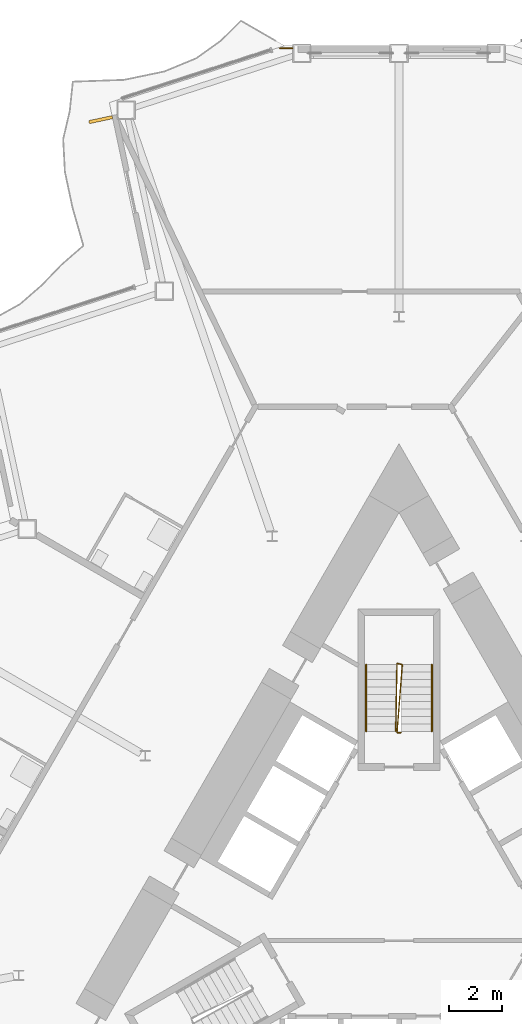
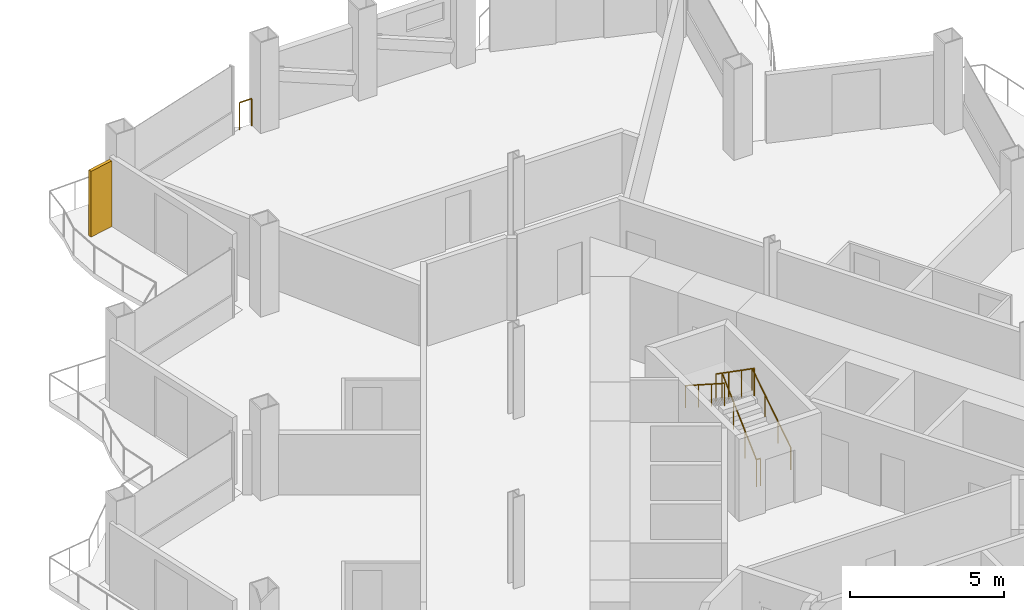
# One storey, part 21 of 24: 4 railings, 1 shading device.
"""IFC4 building model written with IfcOpenShell, lengths in metres."""

from ifc_helpers import new_model, si_unit, direction, frame, origin, origin_2d, place, context, subcontext, project, spatial, rectangle, circle, extrude, material, layer, layer_set, type_object, element, save


model = new_model("IFC4")

# Units and contexts
model_context = context("Model", 3, precision=1e-05, world=origin(), true_north=direction((0.0, 1.0)))
body_context = subcontext(model_context, "Body", "Model", "MODEL_VIEW")
ifc_project = project(units=[si_unit("LENGTHUNIT", "METRE"), si_unit("AREAUNIT", "SQUARE_METRE"), si_unit("VOLUMEUNIT", "CUBIC_METRE"), si_unit("PLANEANGLEUNIT", "RADIAN"), si_unit("MASSUNIT", "GRAM", prefix="KILO")], contexts=[model_context])

# Site, building, storey
site_placement = place(None, origin())
site = spatial("IfcSite", under=ifc_project, at=site_placement, CompositionType="ELEMENT")
building_placement = place(site_placement, origin())
building = spatial("IfcBuilding", under=site, at=building_placement, Name="Cormorant Prow Tower", CompositionType="ELEMENT")
storey_placement = place(building_placement, frame((0.0, 0.0, 234.60009765625)))
storey = spatial("IfcBuildingStorey", under=building, at=storey_placement, Name="L51", CompositionType="ELEMENT", Elevation=234.60009765625)

# Railings
ifc_material_1 = material(Name="Stainless steel", Category="steel")
railing_type_1 = type_object("IfcRailingType", Name="Facade corner guard 1100", PredefinedType="GUARDRAIL", material=ifc_material_1)
railing_1_placement = place(storey_placement, frame((-4.4951171875, 32.260009765625, 0.0)))
element("IfcRailing", 1, at=railing_1_placement, inside=storey, type_object=railing_type_1, Name="Facade corner guard L51 2", PredefinedType="GUARDRAIL", context=body_context, shape_type="SweptSolid", body=[
    extrude(circle(Radius=0.02392578125, at=origin_2d()), frame((0.0, 0.0, 1.076171875), z_axis=(1.0, 0.0, 0.0), x_axis=(0.0, 1.0, 0.0)), (0.0, 0.0, 1.0), 0.454833984375),
    extrude(circle(Radius=0.02099609375, at=origin_2d()), origin(), (0.0, 0.0, 1.0), 1.052001953125),
    extrude(circle(Radius=0.02099609375, at=origin_2d()), frame((0.454833984375, 0.0, 0.0)), (0.0, 0.0, 1.0), 1.052001953125),
])
ifc_material_2 = material(Name="Stainless steel", Category="steel")
railing_type_2 = type_object("IfcRailingType", Name="Stair guard 1100", PredefinedType="GUARDRAIL", material=ifc_material_2)
railing_2_placement = place(storey_placement, frame((0.074951171875, 6.40576171875, 0.0)))
element("IfcRailing", 2, at=railing_2_placement, inside=storey, type_object=railing_type_2, Name="L51 ST3 stair guard 1", PredefinedType="GUARDRAIL", context=body_context, shape_type="SweptSolid", body=[
    extrude(circle(Radius=0.02392578125, at=origin_2d()), frame((0.0, 0.0, 1.076171875), z_axis=(-1.0, 0.0, 0.0), x_axis=(0.0, -1.0, 0.0)), (0.0, 0.0, 1.0), 0.14990234375),
    extrude(circle(Radius=0.02392578125, at=origin_2d()), frame((-0.14990234375, 0.0, 1.076171875), z_axis=(0.063598367685, 0.817460337751, 0.572462962848), x_axis=(-0.996987254287, 0.077565551559, 0.0)), (0.0, 0.0, 1.0), 3.14404296875),
    extrude(circle(Radius=0.02392578125, at=origin_2d()), frame((0.050048828125, 2.570068359375, 2.8759765625), z_axis=(-0.970072785993, 0.242814311512, 0.0), x_axis=(-0.242814311512, -0.970072785993, 0.0)), (0.0, 0.0, 1.0), 0.2060546875),
    extrude(circle(Radius=0.02392578125, at=origin_2d()), frame((-0.14990234375, 2.6201171875, 2.8759765625), z_axis=(-0.01594855688, -0.818977845239, 0.573603462805), x_axis=(0.999810440751, -0.019470042781, 0.0)), (0.0, 0.0, 1.0), 3.13818359375),
    extrude(circle(Radius=0.02099609375, at=origin_2d()), origin(), (0.0, 0.0, 1.0), 1.052001953125),
    extrude(circle(Radius=0.02099609375, at=origin_2d()), frame((-0.14990234375, 0.0, 0.0)), (0.0, 0.0, 1.0), 1.052001953125),
    extrude(circle(Radius=0.02099609375, at=origin_2d()), frame((-0.083251953125, 0.856689453125, 0.599853515625)), (0.0, 0.0, 1.0), 1.052001953125),
    extrude(circle(Radius=0.02099609375, at=origin_2d()), frame((-0.0166015625, 1.71337890625, 1.199951171875)), (0.0, 0.0, 1.0), 1.052001953125),
    extrude(circle(Radius=0.02099609375, at=origin_2d()), frame((0.050048828125, 2.570068359375, 1.7998046875)), (0.0, 0.0, 1.0), 1.052001953125),
    extrude(circle(Radius=0.02099609375, at=origin_2d()), frame((-0.14990234375, 2.6201171875, 1.7998046875)), (0.0, 0.0, 1.0), 1.052001953125),
    extrude(circle(Radius=0.02099609375, at=origin_2d()), frame((-0.16650390625, 1.763427734375, 2.39990234375)), (0.0, 0.0, 1.0), 1.052001953125),
    extrude(circle(Radius=0.02099609375, at=origin_2d()), frame((-0.183349609375, 0.90673828125, 2.999755859375)), (0.0, 0.0, 1.0), 1.052001953125),
    extrude(circle(Radius=0.02099609375, at=origin_2d()), frame((-0.199951171875, 0.050048828125, 3.599853515625)), (0.0, 0.0, 1.0), 1.052001953125),
])
ifc_material_3 = material(Name="Stainless steel", Category="steel")
railing_type_3 = type_object("IfcRailingType", Name="Stair handrail 900", PredefinedType="HANDRAIL", material=ifc_material_3)
railing_3_placement = place(storey_placement, frame((1.243896484375, 6.455810546875, 0.179931640625)))
element("IfcRailing", 3, at=railing_3_placement, inside=storey, type_object=railing_type_3, Name="L51 ST3 stair handrail 1", PredefinedType="HANDRAIL", context=body_context, shape_type="SweptSolid", body=[
    extrude(circle(Radius=0.02392578125, at=origin_2d()), frame((0.0, 0.0, 0.8759765625), z_axis=(0.0, 0.841199657755, 0.540724639528), x_axis=(-1.0, 0.0, 0.0)), (0.0, 0.0, 1.0), 2.995849609375),
    extrude(circle(Radius=0.02099609375, at=origin_2d()), origin(), (0.0, 0.0, 1.0), 0.851806640625),
    extrude(circle(Radius=0.02099609375, at=origin_2d()), frame((0.0, 0.840087890625, 0.5400390625)), (0.0, 0.0, 1.0), 0.851806640625),
    extrude(circle(Radius=0.02099609375, at=origin_2d()), frame((0.0, 1.679931640625, 1.079833984375)), (0.0, 0.0, 1.0), 0.851806640625),
    extrude(circle(Radius=0.02099609375, at=origin_2d()), frame((0.0, 2.52001953125, 1.619873046875)), (0.0, 0.0, 1.0), 0.851806640625),
])
railing_4_placement = place(storey_placement, frame((-1.243896484375, 8.975830078125, 1.97998046875)))
element("IfcRailing", 4, at=railing_4_placement, inside=storey, type_object=railing_type_3, Name="L51 ST3 stair handrail 2", PredefinedType="HANDRAIL", context=body_context, shape_type="SweptSolid", body=[
    extrude(circle(Radius=0.02392578125, at=origin_2d()), frame((0.0, 0.0, 0.8759765625), z_axis=(0.0, -0.841199657755, 0.540724639528), x_axis=(1.0, 0.0, 0.0)), (0.0, 0.0, 1.0), 2.995849609375),
    extrude(circle(Radius=0.02099609375, at=origin_2d()), origin(), (0.0, 0.0, 1.0), 0.851806640625),
    extrude(circle(Radius=0.02099609375, at=origin_2d()), frame((0.0, -0.840087890625, 0.5400390625)), (0.0, 0.0, 1.0), 0.851806640625),
    extrude(circle(Radius=0.02099609375, at=origin_2d()), frame((0.0, -1.679931640625, 1.079833984375)), (0.0, 0.0, 1.0), 0.851806640625),
    extrude(circle(Radius=0.02099609375, at=origin_2d()), frame((0.0, -2.52001953125, 1.619873046875)), (0.0, 0.0, 1.0), 0.851806640625),
])

# Shading device
ifc_material_4 = material(Name="Terracotta", Category="masonry")
ifc_layer = layer(ifc_material_4, 0.1201171875)
ifc_layer_set = layer_set([ifc_layer], Name="Terracotta")
shading_device_type = type_object("IfcShadingDeviceType", Name="Terracotta baguette fin 120x900x2600", PredefinedType="USERDEFINED", material=ifc_layer_set)
shading_device_placement = place(storey_placement, frame((-11.266357421875, 29.5634765625, -0.000244140625), z_axis=(0.0, 0.0, 1.0), x_axis=(0.207911646089, -0.978147610241, 0.0)))
element("IfcShadingDevice", 5, at=shading_device_placement, inside=storey, type_object=shading_device_type, Name="Baguette fin WNW01", ObjectType="BAGUETTE", PredefinedType="USERDEFINED", context=body_context, shape_type="SweptSolid", body=[
    extrude(rectangle(XDim=0.1201171875, YDim=0.89990234375, at=origin_2d()), origin(), (0.0, 0.0, 1.0), 2.60009765625),
])

save(model, "model.ifc")
